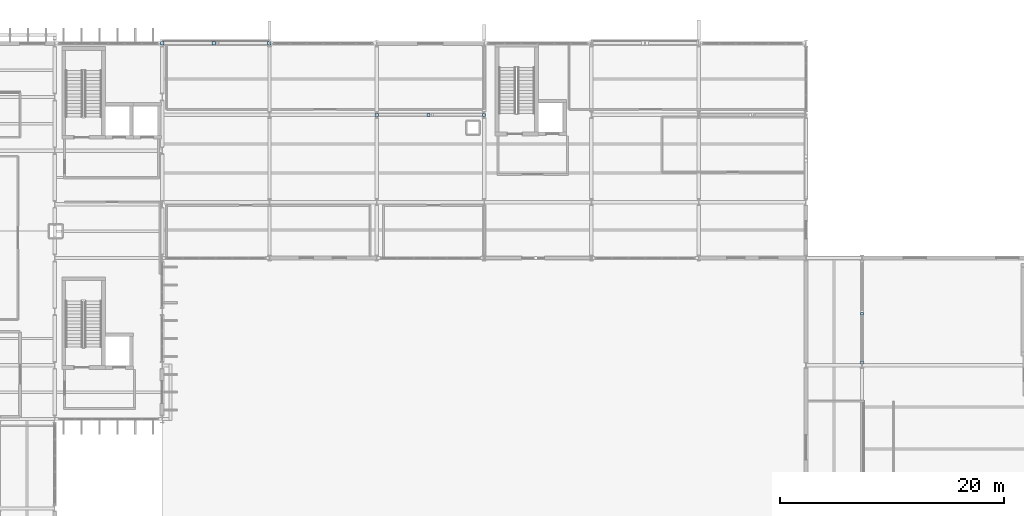
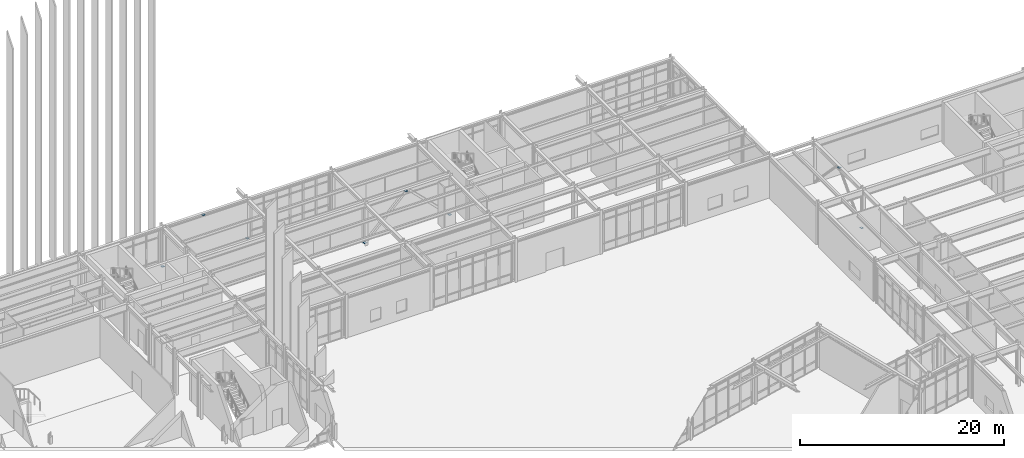
# One storey, part 81 of 109: 8 plates.
"""IFC4 building model written with IfcOpenShell, lengths in metres."""

import ifcopenshell
import ifcopenshell.guid

model = None  # the IFC model being written
_history = None  # IfcOwnerHistory: only IFC2X3 demands one
_inside = {}  # id of a spatial element -> (the spatial element, [elements in it])
_under = {}  # id of a project, library or spatial element -> (it, [spatial elements below it])
_declared = {}  # id of a project -> (the project, [libraries it declares])
_typed = {}  # id of a type object -> (the type object, [elements of that type])
_made_of = {}  # id of a material, layer set ... -> (it, [elements and type objects made of it])


def new_model(schema):
    """Start an empty IFC model of exactly this schema.

    Asked for "IFC4X3", IfcOpenShell would pick the latest addendum, in which some entities
    have other attributes; the version numbers below select the first issue.
    IFC2X3 requires an IfcOwnerHistory on every rooted entity: one is made here for all.
    """
    global model, _history
    if schema == "IFC4X3":
        model = ifcopenshell.file(schema_version=(4, 3, 0, 0))
    else:
        model = ifcopenshell.file(schema=schema)
    _inside.clear()
    _under.clear()
    _declared.clear()
    _typed.clear()
    _made_of.clear()
    _history = None
    if model.schema == "IFC2X3":
        org = make("IfcOrganization", Name="unknown")
        user = make(
            "IfcPersonAndOrganization",
            ThePerson=make("IfcPerson", FamilyName="unknown"),
            TheOrganization=org,
        )
        app = make(
            "IfcApplication",
            ApplicationDeveloper=org,
            Version="unknown",
            ApplicationFullName="unknown",
            ApplicationIdentifier="unknown",
        )
        _history = make(
            "IfcOwnerHistory",
            OwningUser=user,
            OwningApplication=app,
            ChangeAction="ADDED",
            CreationDate=0,
        )
    return model


def make(cls, **values):
    """One entity of the class cls with the attributes given. An attribute that is None is left unset."""
    return model.create_entity(
        cls, **{name: value for name, value in values.items() if value is not None}
    )


def rooted(cls, **values):
    """An entity with a GlobalId (a new one), such as an element, a storey or a relation."""
    return make(cls, GlobalId=ifcopenshell.guid.new(), OwnerHistory=_history, **values)


def si_unit(unit_type, name, prefix=None):
    """IfcSIUnit, for example si_unit("LENGTHUNIT", "METRE", prefix="MILLI")."""
    return make("IfcSIUnit", UnitType=unit_type, Prefix=prefix, Name=name)


def assignment(units):
    """IfcUnitAssignment: the units of a project."""
    return None if units is None else make("IfcUnitAssignment", Units=units)


def point(xyz):
    """IfcCartesianPoint."""
    return None if xyz is None else make("IfcCartesianPoint", Coordinates=xyz)


def direction(xyz):
    """IfcDirection."""
    return None if xyz is None else make("IfcDirection", DirectionRatios=xyz)


def frame(location, z_axis=None, x_axis=None):
    """IfcAxis2Placement3D, a coordinate frame: its origin and axes. An axis left out is left unset."""
    return make(
        "IfcAxis2Placement3D",
        Location=point(location),
        Axis=direction(z_axis),
        RefDirection=direction(x_axis),
    )


def frame_2d(location, x_axis=None):
    """IfcAxis2Placement2D, a coordinate frame in the plane: its origin and x axis."""
    return make(
        "IfcAxis2Placement2D", Location=point(location), RefDirection=direction(x_axis)
    )


def origin():
    """The frame at (0, 0, 0) with its axes left unset."""
    return frame((0.0, 0.0, 0.0))


def origin_2d():
    """The frame at (0, 0) in the plane with its x axis left unset."""
    return frame_2d((0.0, 0.0))


def place(relative_to, where):
    """IfcLocalPlacement: puts the frame where relative to a parent placement (None: the world)."""
    return make(
        "IfcLocalPlacement", PlacementRelTo=relative_to, RelativePlacement=where
    )


def context(
    kind, dimensions, precision=None, world=None, true_north=None, identifier=None
):
    """IfcGeometricRepresentationContext, for example the 3D "Model" context."""
    return make(
        "IfcGeometricRepresentationContext",
        ContextIdentifier=identifier,
        ContextType=kind,
        CoordinateSpaceDimension=dimensions,
        Precision=precision,
        WorldCoordinateSystem=world,
        TrueNorth=true_north,
    )


def subcontext(parent, identifier, kind, view, scale=None):
    """IfcGeometricRepresentationSubContext, for example "Body" below "Model"."""
    return make(
        "IfcGeometricRepresentationSubContext",
        ContextIdentifier=identifier,
        ContextType=kind,
        ParentContext=parent,
        TargetScale=scale,
        TargetView=view,
    )


def project(units=None, contexts=None):
    """IfcProject with its units and contexts."""
    return rooted(
        "IfcProject",
        Name="project",
        RepresentationContexts=contexts,
        UnitsInContext=assignment(units),
    )


def spatial(cls, under=None, at=None, **own):
    """A site, building, storey or space (cls), placed at a placement, below another one or the project."""
    s = rooted(cls, ObjectPlacement=at, **own)
    if under is not None:
        _under.setdefault(under.id(), (under, []))[1].append(s)
    return s


def profile(cls, at=None, kind="AREA", **sizes):
    """A parametric profile (cls). Its sizes go by their IFC names, for example OverallWidth=200.0."""
    return make(cls, ProfileType=kind, Position=at, **sizes)


def rectangle(**sizes):
    """IfcRectangleProfileDef."""
    return profile("IfcRectangleProfileDef", **sizes)


def extrude(swept, where, along, depth):
    """IfcExtrudedAreaSolid: the profile swept, set in the frame where, extruded along a direction by depth."""
    return make(
        "IfcExtrudedAreaSolid",
        SweptArea=swept,
        Position=where,
        ExtrudedDirection=direction(along),
        Depth=depth,
    )


def shape(context_of_items, identifier, shape_type, items):
    """IfcShapeRepresentation: the items that make up one representation, for example the "Body"."""
    return make(
        "IfcShapeRepresentation",
        ContextOfItems=context_of_items,
        RepresentationIdentifier=identifier,
        RepresentationType=shape_type,
        Items=items,
    )


def material(Name=None, Category=None):
    """IfcMaterial."""
    return make("IfcMaterial", Name=Name, Category=Category)


def layer(
    of_material, thickness, ventilated=None, Name=None, Category=None, Priority=None
):
    """IfcMaterialLayer: one layer of a wall or slab, of a material (None: an air gap)."""
    return make(
        "IfcMaterialLayer",
        Material=of_material,
        LayerThickness=thickness,
        IsVentilated=ventilated,
        Name=Name,
        Category=Category,
        Priority=Priority,
    )


def layer_set(layers, Name=None):
    """IfcMaterialLayerSet."""
    return make("IfcMaterialLayerSet", MaterialLayers=layers, LayerSetName=Name)


def made_of(thing, what):
    """Note that an element or type object is made of a material, layer set ...; save() writes the relation."""
    if what is not None:
        _made_of.setdefault(what.id(), (what, []))[1].append(thing)
    return thing


def type_object(cls, material=None, **own):
    """A type object (cls), such as IfcWallType, which elements share."""
    return made_of(rooted(cls, **own), material)


def element(
    cls,
    number,
    at=None,
    inside=None,
    cuts=None,
    type_object=None,
    material=None,
    context=None,
    identifier="Body",
    shape_type=None,
    held_by="IfcProductDefinitionShape",
    body=None,
    shapes=None,
    **own,
):
    """One element of the class cls, such as IfcWall. Its Tag is "e" and its number.

    at: its placement. inside: the storey or other place that contains it. cuts: it is an
    opening in that element (IfcRelVoidsElement). A single representation is given by context,
    identifier, shape_type and body (its items); several are given by shapes. held_by: the class
    of the entity that holds the representations. save() writes the other relations.
    """
    e = rooted(cls, Tag="e%d" % number, ObjectPlacement=at, **own)
    if body is not None:
        shapes = [shape(context, identifier, shape_type, body)]
    if shapes is not None:
        e.Representation = make(held_by, Representations=shapes)
    if inside is not None:
        _inside.setdefault(inside.id(), (inside, []))[1].append(e)
    if cuts is not None:
        rooted(
            "IfcRelVoidsElement", RelatingBuildingElement=cuts, RelatedOpeningElement=e
        )
    if type_object is not None:
        _typed.setdefault(type_object.id(), (type_object, []))[1].append(e)
    return made_of(e, material)


def aggregate(whole, parts):
    """IfcRelAggregates: a whole, such as a stair, and the parts it consists of."""
    return rooted("IfcRelAggregates", RelatingObject=whole, RelatedObjects=parts)


def save(model, path):
    """Write the relations noted so far, then the file.

    IfcRelAggregates (storeys below a building ...), IfcRelContainedInSpatialStructure (elements
    in a storey), IfcRelDefinesByType, IfcRelAssociatesMaterial and IfcRelDeclares: one each for
    every whole, place, type object, material and project.
    """
    for whole, parts in _under.values():
        aggregate(whole, parts)
    for where, things in _inside.values():
        rooted(
            "IfcRelContainedInSpatialStructure",
            RelatedElements=things,
            RelatingStructure=where,
        )
    for kind, things in _typed.values():
        rooted("IfcRelDefinesByType", RelatedObjects=things, RelatingType=kind)
    for what, things in _made_of.values():
        rooted("IfcRelAssociatesMaterial", RelatedObjects=things, RelatingMaterial=what)
    for by, libraries in _declared.values():
        rooted("IfcRelDeclares", RelatingContext=by, RelatedDefinitions=libraries)
    model.write(path)


model = new_model("IFC4")

# Units and contexts
model_context = context("Model", 3, precision=1e-05, world=origin(), true_north=direction((0.0, 1.0)))
body_context = subcontext(model_context, "Body", "Model", "MODEL_VIEW")
ifc_project = project(units=[si_unit("LENGTHUNIT", "METRE"), si_unit("AREAUNIT", "SQUARE_METRE"), si_unit("VOLUMEUNIT", "CUBIC_METRE"), si_unit("PLANEANGLEUNIT", "RADIAN"), si_unit("MASSUNIT", "GRAM", prefix="KILO")], contexts=[model_context])

# Site, building, storey
site_placement = place(None, origin())
site = spatial("IfcSite", under=ifc_project, at=site_placement, CompositionType="ELEMENT")
building_placement = place(site_placement, origin())
building = spatial("IfcBuilding", under=site, at=building_placement, Name="Nordkorset Police Headquarters", CompositionType="ELEMENT")
storey_placement = place(building_placement, origin())
storey = spatial("IfcBuildingStorey", under=building, at=storey_placement, Name="L00", CompositionType="ELEMENT", Elevation=0.0)

# Plates
ifc_material = material(Name="Steel S355J2", Category="steel")
ifc_layer = layer(ifc_material, 0.02001953125, Name="Steel S355J2")
ifc_layer_set = layer_set([ifc_layer], Name="Steel S355J2")
plate_type = type_object("IfcPlateType", Name="SteelPlate_20mm", PredefinedType="SHEET", material=ifc_layer_set)
for number, where, z_axis, x_axis, name in (
    (1, (48.0078125, 110.39990234375, 0.18994140625), (0.0, 0.0, 1.0), (1.0, 0.0, 0.0), "Hollow Section End Cap Plate BF-V2-A-L00-D1-0"),
    (2, (52.6201171875, 110.39990234375, 4.77001953125), (0.0, 0.0, 1.0), (1.0, 0.0, 0.0), "Hollow Section End Cap Plate BF-V2-A-L00-D1-1"),
    (3, (57.59228515625, 110.39990234375, 0.18994140625), (0.0, 0.0, 1.0), (1.0, 0.0, 0.0), "Hollow Section End Cap Plate BF-V2-A-L00-D2-0"),
):
    element("IfcPlate", number, at=place(storey_placement, frame(where, z_axis=z_axis, x_axis=x_axis)), inside=storey, type_object=plate_type, Name=name, PredefinedType="SHEET", context=body_context, shape_type="SweptSolid", body=[
        extrude(rectangle(XDim=0.2900390625, YDim=0.2900390625, at=origin_2d()), origin(), (0.0, 0.0, 1.0), 0.02001953125),
    ])
for number, where, z_axis, x_axis, name in (
    (4, (91.39990234375, 88.25, 0.18994140625), (0.0, 0.0, 1.0), (1.0, 0.0, 0.0), "Hollow Section End Cap Plate BF-V5-A-L00-D1-0"),
    (5, (91.39990234375, 92.6201171875, 4.77001953125), (0.0, 0.0, 1.0), (1.0, 0.0, 0.0), "Hollow Section End Cap Plate BF-V5-A-L00-D1-1"),
):
    element("IfcPlate", number, at=place(storey_placement, frame(where, z_axis=z_axis, x_axis=x_axis)), inside=storey, type_object=plate_type, Name=name, PredefinedType="SHEET", context=body_context, shape_type="SweptSolid", body=[
        extrude(rectangle(XDim=0.259033203125, YDim=0.259033203125, at=origin_2d()), origin(), (0.0, 0.0, 1.0), 0.02001953125),
    ])
for number, where, z_axis, x_axis, name in (
    (6, (28.80810546875, 116.800048828125, 0.18994140625), (0.0, 0.0, 1.0), (1.0, 0.0, 0.0), "Hollow Section End Cap Plate BF-EXT-V2N0-L00-D1-0"),
    (7, (33.419921875, 116.800048828125, 4.77001953125), (0.0, 0.0, 1.0), (1.0, 0.0, 0.0), "Hollow Section End Cap Plate BF-EXT-V2N0-L00-D1-1"),
    (8, (38.392333984375, 116.800048828125, 0.18994140625), (0.0, 0.0, 1.0), (1.0, 0.0, 0.0), "Hollow Section End Cap Plate BF-EXT-V2N0-L00-D2-0"),
):
    element("IfcPlate", number, at=place(storey_placement, frame(where, z_axis=z_axis, x_axis=x_axis)), inside=storey, type_object=plate_type, Name=name, PredefinedType="SHEET", context=body_context, shape_type="SweptSolid", body=[
        extrude(rectangle(XDim=0.2900390625, YDim=0.2900390625, at=origin_2d()), origin(), (0.0, 0.0, 1.0), 0.02001953125),
    ])

save(model, "model.ifc")
